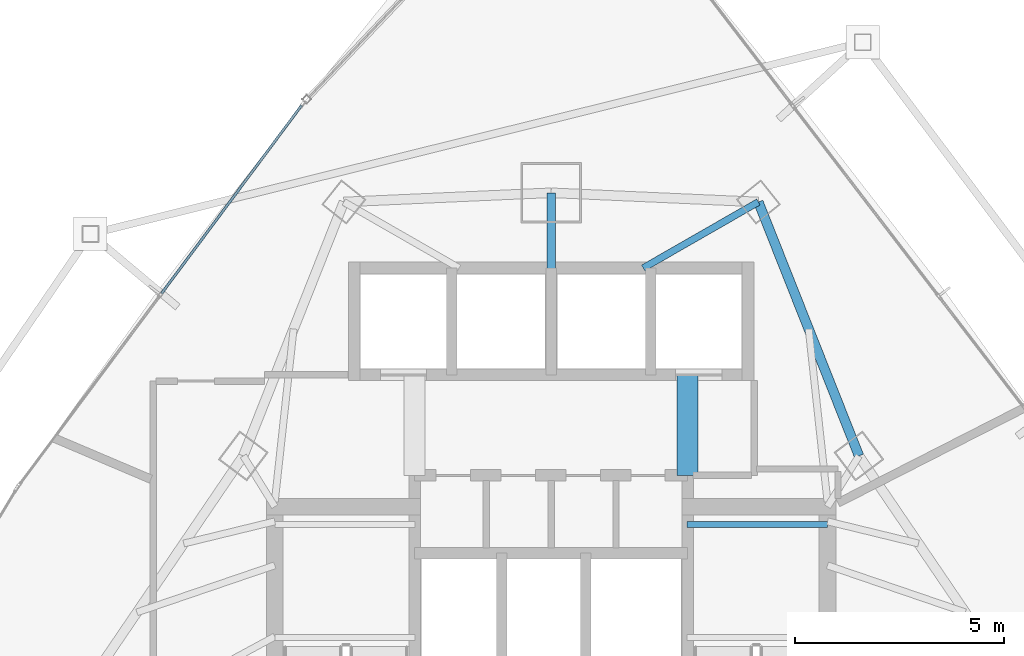
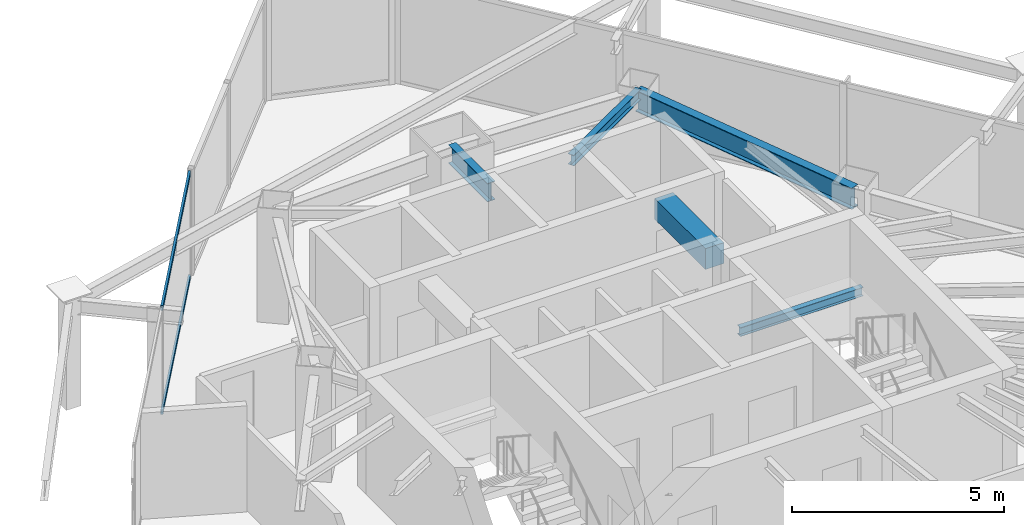
# One storey, part 20 of 31: 5 beams, 2 members, 1 element without a shape of its own.
"""IFC4 building model written with IfcOpenShell, lengths in metres."""

from ifc_helpers import new_model, si_unit, direction, frame, origin, origin_2d, place, context, subcontext, project, spatial, rectangle, hollow_rectangle, i_section, extrude, material, layer, layer_set, material_profile, profile_set, type_object, element, aggregate, save


model = new_model("IFC4")

# Units and contexts
model_context = context("Model", 3, precision=1e-05, world=origin(), true_north=direction((0.0, 1.0)))
body_context = subcontext(model_context, "Body", "Model", "MODEL_VIEW")
ifc_project = project(units=[si_unit("LENGTHUNIT", "METRE"), si_unit("AREAUNIT", "SQUARE_METRE"), si_unit("VOLUMEUNIT", "CUBIC_METRE"), si_unit("PLANEANGLEUNIT", "RADIAN"), si_unit("MASSUNIT", "GRAM", prefix="KILO")], contexts=[model_context])

# Site, building, storey
site_placement = place(None, origin())
site = spatial("IfcSite", under=ifc_project, at=site_placement, CompositionType="ELEMENT")
building_placement = place(site_placement, origin())
building = spatial("IfcBuilding", under=site, at=building_placement, Name="Orvanel Arch Residences", CompositionType="ELEMENT")
storey_placement = place(building_placement, frame((0.0, 0.0, 133.10009765625)))
storey = spatial("IfcBuildingStorey", under=building, at=storey_placement, Name="L37", CompositionType="ELEMENT", Elevation=133.10009765625)

# Beams
ifc_material_1 = material(Name="Structural steel AS/NZS 3679.1 Grade 300 (300 MPa)", Category="steel")
ifc_material_profile_1 = material_profile(ifc_material_1, i_section(OverallWidth=0.208984375, OverallDepth=0.532958984375, WebThickness=0.01025390625, FlangeThickness=0.015625, at=origin_2d()), Name="530UB92.4")
ifc_profile_set_1 = profile_set([ifc_material_profile_1], Name="Structural steel AS/NZS 3679.1 Grade 300 (300 MPa)")
beam_type_1 = type_object("IfcBeamType", Name="BG-530UB", PredefinedType="BEAM", material=ifc_profile_set_1)
beam_1_placement = place(storey_placement, frame((33.0, 39.550048828125, 2.79296875), z_axis=(0.0, 1.0, 0.0), x_axis=(-1.0, 0.0, 0.0)))
element("IfcBeam", 1, at=beam_1_placement, inside=storey, type_object=beam_type_1, Name="L37 North Radial Girder", PredefinedType="BEAM", context=body_context, shape_type="SweptSolid", body=[
    extrude(i_section(OverallWidth=0.208984375, OverallDepth=0.532958984375, WebThickness=0.01025390625, FlangeThickness=0.015625, at=origin_2d()), origin(), (0.0, 0.0, 1.0), 1.847900390625),
])
ifc_material_profile_2 = material_profile(ifc_material_1, i_section(OverallWidth=0.14599609375, OverallDepth=0.251953125, WebThickness=0.006103515625, FlangeThickness=0.008544921875, at=origin_2d()), Name="250UB31.4")
ifc_profile_set_2 = profile_set([ifc_material_profile_2], Name="Structural steel AS/NZS 3679.1 Grade 300 (300 MPa)")
beam_type_2 = type_object("IfcBeamType", Name="BJ-250UB", PredefinedType="JOIST", material=ifc_profile_set_2)
beam_2_placement = place(storey_placement, frame((36.25, 33.47998046875, 1.323974609375), z_axis=(1.0, 0.0, 0.0), x_axis=(0.0, 1.0, 0.0)))
element("IfcBeam", 2, at=beam_2_placement, inside=storey, type_object=beam_type_2, Name="L37 ST-2 Half-Landing Support Beam 1.2", PredefinedType="JOIST", context=body_context, shape_type="SweptSolid", body=[
    extrude(i_section(OverallWidth=0.14599609375, OverallDepth=0.251953125, WebThickness=0.006103515625, FlangeThickness=0.008544921875, at=origin_2d()), origin(), (0.0, 0.0, 1.0), 3.35009765625),
])
ifc_material_profile_3 = material_profile(ifc_material_1, i_section(OverallWidth=0.1650390625, OverallDepth=0.303955078125, WebThickness=0.006103515625, FlangeThickness=0.01025390625, at=origin_2d()), Name="310UB40.4")
ifc_profile_set_3 = profile_set([ifc_material_profile_3], Name="Structural steel AS/NZS 3679.1 Grade 300 (300 MPa)")
beam_type_3 = type_object("IfcBeamType", Name="BJ-310UB", PredefinedType="JOIST", material=ifc_profile_set_3)
beam_3_placement = place(storey_placement, frame((35.199951171875, 39.60009765625, 2.907958984375), z_axis=(0.86736513383, 0.497672306458, 0.0), x_axis=(-0.497672306458, 0.86736513383, 0.0)))
element("IfcBeam", 3, at=beam_3_placement, inside=storey, type_object=beam_type_3, Name="L37 MNE Wing Floor Joist", PredefinedType="JOIST", context=body_context, shape_type="SweptSolid", body=[
    extrude(i_section(OverallWidth=0.1650390625, OverallDepth=0.303955078125, WebThickness=0.006103515625, FlangeThickness=0.01025390625, at=origin_2d()), origin(), (0.0, 0.0, 1.0), 3.17041015625),
])
ifc_material_2 = material(Name="Concrete S65 (65 MPa)", Category="concrete")
ifc_material_profile_4 = material_profile(ifc_material_2, rectangle(XDim=0.5, YDim=0.60009765625, at=origin_2d()), Name="RC500x600")
ifc_profile_set_4 = profile_set([ifc_material_profile_4], Name="Concrete S65 (65 MPa)")
beam_type_4 = type_object("IfcBeamType", Name="CB-500x600", PredefinedType="LINTEL", material=ifc_profile_set_4)
beam_4_placement = place(storey_placement, frame((36.260009765625, 34.64990234375, 2.760009765625), z_axis=(0.0, 1.0, 0.0), x_axis=(-1.0, 0.0, 0.0)))
element("IfcBeam", 4, at=beam_4_placement, inside=storey, type_object=beam_type_4, Name="L37 East Core Lobby Coupling Lintel Beam", PredefinedType="LINTEL", context=body_context, shape_type="SweptSolid", body=[
    extrude(rectangle(XDim=0.5, YDim=0.60009765625, at=origin_2d()), origin(), (0.0, 0.0, 1.0), 2.400146484375),
])
ifc_material_profile_5 = material_profile(ifc_material_1, i_section(OverallWidth=0.22900390625, OverallDepth=0.612060546875, WebThickness=0.011962890625, FlangeThickness=0.01953125, at=origin_2d()), Name="610UB125")
ifc_profile_set_5 = profile_set([ifc_material_profile_5], Name="Structural steel AS/NZS 3679.1 Grade 300 (300 MPa)")
beam_type_5 = type_object("IfcBeamType", Name="SP-610UB", PredefinedType="SPANDREL", material=ifc_profile_set_5)
beam_5_placement = place(storey_placement, frame((40.35205078125, 35.113037109375, 2.75390625), z_axis=(-0.368233143579, 0.929733484376, 0.0), x_axis=(-0.929733484376, -0.368233143579, 0.0)))
element("IfcBeam", 5, at=beam_5_placement, inside=storey, type_object=beam_type_5, Name="L37 Perimeter Spandrel Beam 13", PredefinedType="SPANDREL", context=body_context, shape_type="SweptSolid", body=[
    extrude(i_section(OverallWidth=0.22900390625, OverallDepth=0.612060546875, WebThickness=0.011962890625, FlangeThickness=0.01953125, at=origin_2d()), origin(), (0.0, 0.0, 1.0), 6.523193359375),
])

# Curtain wall, members
ifc_material_3 = material(Name="Bronze-anodised aluminium AA6063-T6", Category="aluminium")
ifc_layer = layer(ifc_material_3, 0.179931640625)
ifc_layer_set = layer_set([ifc_layer], Name="Bronze-anodised aluminium AA6063-T6")
curtain_wall_type = type_object("IfcCurtainWallType", Name="CW3-MID-SYS", PredefinedType="NOTDEFINED", material=ifc_layer_set)
curtain_wall_placement = place(storey_placement, origin())
curtain_wall = element("IfcCurtainWall", 6, at=curtain_wall_placement, inside=storey, type_object=curtain_wall_type, Name="L37 CW3-MID-SYS Unitised Curtain Wall", PredefinedType="NOTDEFINED")
ifc_material_profile_6 = material_profile(ifc_material_3, hollow_rectangle(XDim=0.06005859375, YDim=0.135009765625, WallThickness=0.00390625, at=origin_2d()), Name="ALU135x60x4")
ifc_profile_set_6 = profile_set([ifc_material_profile_6], Name="Bronze-anodised aluminium AA6063-T6")
member_type = type_object("IfcMemberType", Name="TRN-135x60", PredefinedType="USERDEFINED", material=ifc_profile_set_6)
member_1_placement = place(storey_placement, frame((27.043212890625, 43.48681640625, 0.02978515625), z_axis=(-0.597417035661, -0.80193072363, 0.0), x_axis=(0.80193072363, -0.597417035661, 0.0)))
member_1 = element("IfcMember", 7, at=member_1_placement, type_object=member_type, Name="CW-S3 transom 1.1", ObjectType="TRANSOM", PredefinedType="USERDEFINED", context=body_context, shape_type="SweptSolid", body=[
    extrude(hollow_rectangle(XDim=0.06005859375, YDim=0.135009765625, WallThickness=0.00390625, at=origin_2d()), origin(), (0.0, 0.0, 1.0), 5.602294921875),
])
member_2_placement = place(storey_placement, frame((27.043212890625, 43.48681640625, 3.02978515625), z_axis=(-0.597417035661, -0.80193072363, 0.0), x_axis=(0.80193072363, -0.597417035661, 0.0)))
member_2 = element("IfcMember", 8, at=member_2_placement, type_object=member_type, Name="CW-S3 transom 1.2", ObjectType="TRANSOM", PredefinedType="USERDEFINED", context=body_context, shape_type="SweptSolid", body=[
    extrude(hollow_rectangle(XDim=0.06005859375, YDim=0.135009765625, WallThickness=0.00390625, at=origin_2d()), origin(), (0.0, 0.0, 1.0), 5.602294921875),
])
aggregate(curtain_wall, [member_1, member_2])

save(model, "model.ifc")
